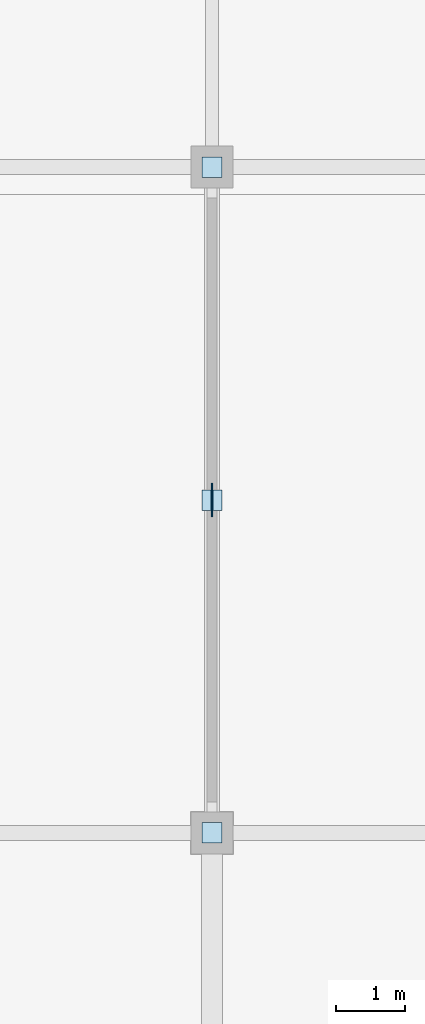
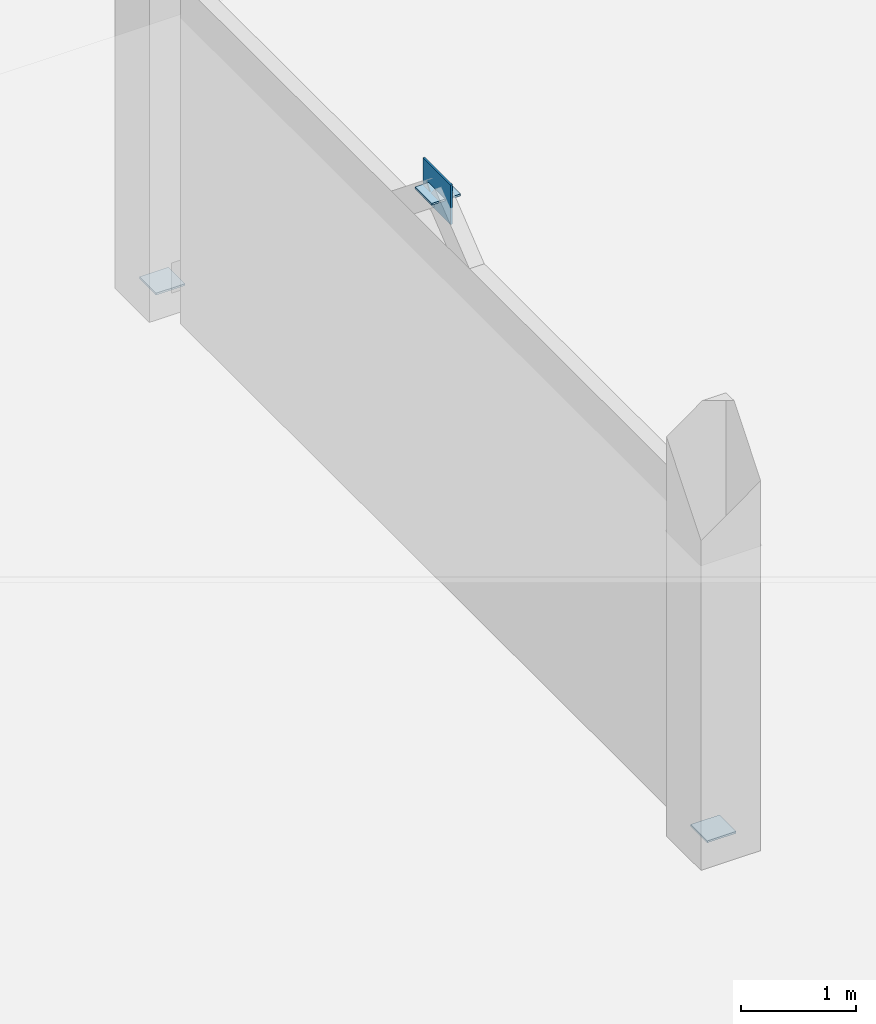
# One storey, part 117 of 130: 4 plates.
"""IFC4 building model written with IfcOpenShell, lengths in metres."""

from ifc_helpers import new_model, si_unit, direction, frame, origin, origin_2d, place, context, subcontext, project, spatial, rectangle, extrude, material, layer, layer_set, type_object, element, save


model = new_model("IFC4")

# Units and contexts
model_context = context("Model", 3, precision=1e-05, world=origin(), true_north=direction((0.0, 1.0)))
body_context = subcontext(model_context, "Body", "Model", "MODEL_VIEW")
ifc_project = project(units=[si_unit("LENGTHUNIT", "METRE"), si_unit("AREAUNIT", "SQUARE_METRE"), si_unit("VOLUMEUNIT", "CUBIC_METRE"), si_unit("PLANEANGLEUNIT", "RADIAN"), si_unit("MASSUNIT", "GRAM", prefix="KILO")], contexts=[model_context])

# Site, building, storey
site_placement = place(None, origin())
site = spatial("IfcSite", under=ifc_project, at=site_placement, CompositionType="ELEMENT")
building_placement = place(site_placement, origin())
building = spatial("IfcBuilding", under=site, at=building_placement, Name="Veltarok Museum of Natural Sciences", CompositionType="ELEMENT")
storey_placement = place(building_placement, frame((0.0, 0.0, 12.89990234375)))
storey = spatial("IfcBuildingStorey", under=building, at=storey_placement, Name="L02", CompositionType="ELEMENT", Elevation=12.89990234375)

# Plates
ifc_material = material(Name="Steel S355J2", Category="steel")
ifc_layer_1 = layer(ifc_material, 0.02001953125)
ifc_layer_set_1 = layer_set([ifc_layer_1], Name="Steel S355J2")
plate_type_1 = type_object("IfcPlateType", Name="Hollow End Closure Plate D290x20", PredefinedType="USERDEFINED", material=ifc_layer_set_1)
for number, where, z_axis, x_axis, name in (
    (1, (149.199951171875, 9.60302734375, 0.142578125), (0.0, 0.0, 1.0), (0.0, 1.0, 0.0), "End Cap Plate CP-273 465"),
    (2, (149.199951171875, 14.39697265625, 4.007568359375), (0.0, 0.0, 1.0), (0.0, 1.0, 0.0), "End Cap Plate CP-273 466"),
    (3, (149.199951171875, 19.19677734375, 0.142578125), (0.0, 0.0, 1.0), (0.0, 1.0, 0.0), "End Cap Plate CP-273 467"),
):
    element("IfcPlate", number, at=place(storey_placement, frame(where, z_axis=z_axis, x_axis=x_axis)), inside=storey, type_object=plate_type_1, Name=name, ObjectType="END CAP PLATE", PredefinedType="USERDEFINED", context=body_context, shape_type="SweptSolid", body=[
        extrude(rectangle(XDim=0.2900390625, YDim=0.2900390625, at=origin_2d()), origin(), (0.0, 0.0, 1.0), 0.02001953125),
    ])
ifc_layer_2 = layer(ifc_material, 0.02001953125)
ifc_layer_set_2 = layer_set([ifc_layer_2], Name="Steel S355J2")
plate_type_2 = type_object("IfcPlateType", Name="Lateral Brace Gusset Node Plate BN1", PredefinedType="USERDEFINED", material=ifc_layer_set_2)
plate_placement = place(storey_placement, frame((149.199951171875, 14.39990234375, 3.81005859375), z_axis=(0.0, 0.0, 1.0), x_axis=(1.0, 0.0, 0.0)))
element("IfcPlate", 4, at=plate_placement, inside=storey, type_object=plate_type_2, Name="Lateral Brace Apex Node BN1 34", ObjectType="GUSSET PLATE", PredefinedType="USERDEFINED", context=body_context, shape_type="SweptSolid", body=[
    extrude(rectangle(XDim=0.02001953125, YDim=0.47998046875, at=origin_2d()), origin(), (0.0, 0.0, 1.0), 0.419921875),
])

save(model, "model.ifc")
